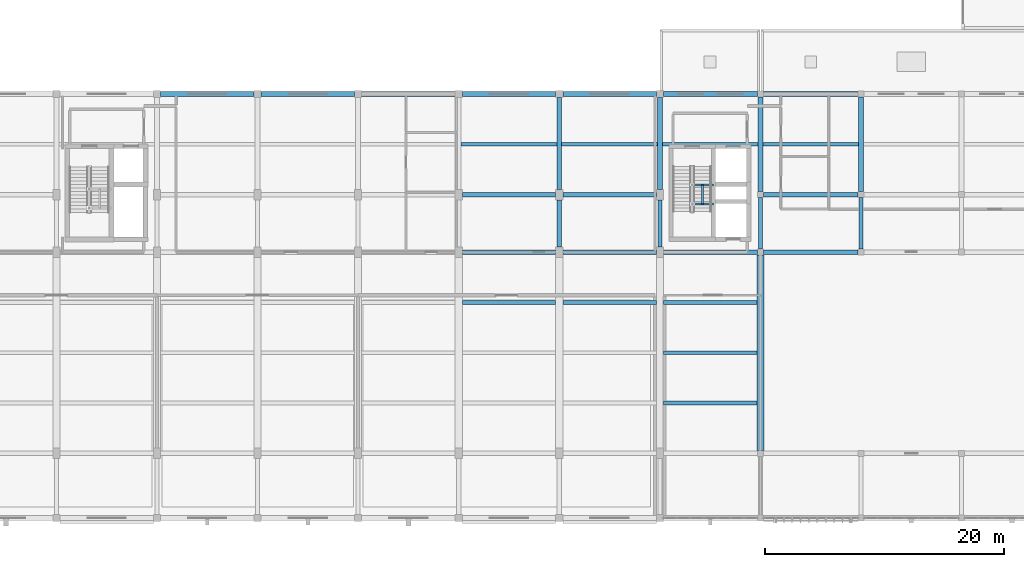
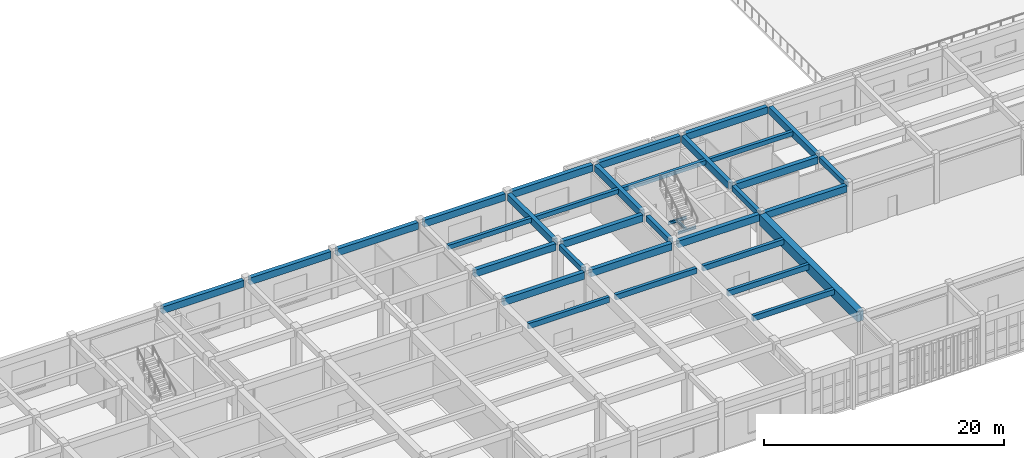
# One storey, part 29 of 93: 35 beams.
"""IFC4 building model written with IfcOpenShell, lengths in metres."""

import ifcopenshell
import ifcopenshell.guid

model = None  # the IFC model being written
_history = None  # IfcOwnerHistory: only IFC2X3 demands one
_inside = {}  # id of a spatial element -> (the spatial element, [elements in it])
_under = {}  # id of a project, library or spatial element -> (it, [spatial elements below it])
_declared = {}  # id of a project -> (the project, [libraries it declares])
_typed = {}  # id of a type object -> (the type object, [elements of that type])
_made_of = {}  # id of a material, layer set ... -> (it, [elements and type objects made of it])


def new_model(schema):
    """Start an empty IFC model of exactly this schema.

    Asked for "IFC4X3", IfcOpenShell would pick the latest addendum, in which some entities
    have other attributes; the version numbers below select the first issue.
    IFC2X3 requires an IfcOwnerHistory on every rooted entity: one is made here for all.
    """
    global model, _history
    if schema == "IFC4X3":
        model = ifcopenshell.file(schema_version=(4, 3, 0, 0))
    else:
        model = ifcopenshell.file(schema=schema)
    _inside.clear()
    _under.clear()
    _declared.clear()
    _typed.clear()
    _made_of.clear()
    _history = None
    if model.schema == "IFC2X3":
        org = make("IfcOrganization", Name="unknown")
        user = make(
            "IfcPersonAndOrganization",
            ThePerson=make("IfcPerson", FamilyName="unknown"),
            TheOrganization=org,
        )
        app = make(
            "IfcApplication",
            ApplicationDeveloper=org,
            Version="unknown",
            ApplicationFullName="unknown",
            ApplicationIdentifier="unknown",
        )
        _history = make(
            "IfcOwnerHistory",
            OwningUser=user,
            OwningApplication=app,
            ChangeAction="ADDED",
            CreationDate=0,
        )
    return model


def make(cls, **values):
    """One entity of the class cls with the attributes given. An attribute that is None is left unset."""
    return model.create_entity(
        cls, **{name: value for name, value in values.items() if value is not None}
    )


def rooted(cls, **values):
    """An entity with a GlobalId (a new one), such as an element, a storey or a relation."""
    return make(cls, GlobalId=ifcopenshell.guid.new(), OwnerHistory=_history, **values)


def si_unit(unit_type, name, prefix=None):
    """IfcSIUnit, for example si_unit("LENGTHUNIT", "METRE", prefix="MILLI")."""
    return make("IfcSIUnit", UnitType=unit_type, Prefix=prefix, Name=name)


def assignment(units):
    """IfcUnitAssignment: the units of a project."""
    return None if units is None else make("IfcUnitAssignment", Units=units)


def point(xyz):
    """IfcCartesianPoint."""
    return None if xyz is None else make("IfcCartesianPoint", Coordinates=xyz)


def direction(xyz):
    """IfcDirection."""
    return None if xyz is None else make("IfcDirection", DirectionRatios=xyz)


def frame(location, z_axis=None, x_axis=None):
    """IfcAxis2Placement3D, a coordinate frame: its origin and axes. An axis left out is left unset."""
    return make(
        "IfcAxis2Placement3D",
        Location=point(location),
        Axis=direction(z_axis),
        RefDirection=direction(x_axis),
    )


def frame_2d(location, x_axis=None):
    """IfcAxis2Placement2D, a coordinate frame in the plane: its origin and x axis."""
    return make(
        "IfcAxis2Placement2D", Location=point(location), RefDirection=direction(x_axis)
    )


def origin():
    """The frame at (0, 0, 0) with its axes left unset."""
    return frame((0.0, 0.0, 0.0))


def origin_2d():
    """The frame at (0, 0) in the plane with its x axis left unset."""
    return frame_2d((0.0, 0.0))


def place(relative_to, where):
    """IfcLocalPlacement: puts the frame where relative to a parent placement (None: the world)."""
    return make(
        "IfcLocalPlacement", PlacementRelTo=relative_to, RelativePlacement=where
    )


def context(
    kind, dimensions, precision=None, world=None, true_north=None, identifier=None
):
    """IfcGeometricRepresentationContext, for example the 3D "Model" context."""
    return make(
        "IfcGeometricRepresentationContext",
        ContextIdentifier=identifier,
        ContextType=kind,
        CoordinateSpaceDimension=dimensions,
        Precision=precision,
        WorldCoordinateSystem=world,
        TrueNorth=true_north,
    )


def subcontext(parent, identifier, kind, view, scale=None):
    """IfcGeometricRepresentationSubContext, for example "Body" below "Model"."""
    return make(
        "IfcGeometricRepresentationSubContext",
        ContextIdentifier=identifier,
        ContextType=kind,
        ParentContext=parent,
        TargetScale=scale,
        TargetView=view,
    )


def project(units=None, contexts=None):
    """IfcProject with its units and contexts."""
    return rooted(
        "IfcProject",
        Name="project",
        RepresentationContexts=contexts,
        UnitsInContext=assignment(units),
    )


def spatial(cls, under=None, at=None, **own):
    """A site, building, storey or space (cls), placed at a placement, below another one or the project."""
    s = rooted(cls, ObjectPlacement=at, **own)
    if under is not None:
        _under.setdefault(under.id(), (under, []))[1].append(s)
    return s


def profile(cls, at=None, kind="AREA", **sizes):
    """A parametric profile (cls). Its sizes go by their IFC names, for example OverallWidth=200.0."""
    return make(cls, ProfileType=kind, Position=at, **sizes)


def rectangle(**sizes):
    """IfcRectangleProfileDef."""
    return profile("IfcRectangleProfileDef", **sizes)


def i_section(**sizes):
    """IfcIShapeProfileDef."""
    return profile("IfcIShapeProfileDef", **sizes)


def extrude(swept, where, along, depth):
    """IfcExtrudedAreaSolid: the profile swept, set in the frame where, extruded along a direction by depth."""
    return make(
        "IfcExtrudedAreaSolid",
        SweptArea=swept,
        Position=where,
        ExtrudedDirection=direction(along),
        Depth=depth,
    )


def shape(context_of_items, identifier, shape_type, items):
    """IfcShapeRepresentation: the items that make up one representation, for example the "Body"."""
    return make(
        "IfcShapeRepresentation",
        ContextOfItems=context_of_items,
        RepresentationIdentifier=identifier,
        RepresentationType=shape_type,
        Items=items,
    )


def material(Name=None, Category=None):
    """IfcMaterial."""
    return make("IfcMaterial", Name=Name, Category=Category)


def material_profile(
    of_material, cross_section, Name=None, Category=None, Priority=None
):
    """IfcMaterialProfile: a cross section and its material."""
    return make(
        "IfcMaterialProfile",
        Name=Name,
        Material=of_material,
        Profile=cross_section,
        Priority=Priority,
        Category=Category,
    )


def profile_set(profiles, Name=None, composite=None):
    """IfcMaterialProfileSet."""
    return make(
        "IfcMaterialProfileSet",
        Name=Name,
        MaterialProfiles=profiles,
        CompositeProfile=composite,
    )


def made_of(thing, what):
    """Note that an element or type object is made of a material, layer set ...; save() writes the relation."""
    if what is not None:
        _made_of.setdefault(what.id(), (what, []))[1].append(thing)
    return thing


def type_object(cls, material=None, **own):
    """A type object (cls), such as IfcWallType, which elements share."""
    return made_of(rooted(cls, **own), material)


def element(
    cls,
    number,
    at=None,
    inside=None,
    cuts=None,
    type_object=None,
    material=None,
    context=None,
    identifier="Body",
    shape_type=None,
    held_by="IfcProductDefinitionShape",
    body=None,
    shapes=None,
    **own,
):
    """One element of the class cls, such as IfcWall. Its Tag is "e" and its number.

    at: its placement. inside: the storey or other place that contains it. cuts: it is an
    opening in that element (IfcRelVoidsElement). A single representation is given by context,
    identifier, shape_type and body (its items); several are given by shapes. held_by: the class
    of the entity that holds the representations. save() writes the other relations.
    """
    e = rooted(cls, Tag="e%d" % number, ObjectPlacement=at, **own)
    if body is not None:
        shapes = [shape(context, identifier, shape_type, body)]
    if shapes is not None:
        e.Representation = make(held_by, Representations=shapes)
    if inside is not None:
        _inside.setdefault(inside.id(), (inside, []))[1].append(e)
    if cuts is not None:
        rooted(
            "IfcRelVoidsElement", RelatingBuildingElement=cuts, RelatedOpeningElement=e
        )
    if type_object is not None:
        _typed.setdefault(type_object.id(), (type_object, []))[1].append(e)
    return made_of(e, material)


def aggregate(whole, parts):
    """IfcRelAggregates: a whole, such as a stair, and the parts it consists of."""
    return rooted("IfcRelAggregates", RelatingObject=whole, RelatedObjects=parts)


def save(model, path):
    """Write the relations noted so far, then the file.

    IfcRelAggregates (storeys below a building ...), IfcRelContainedInSpatialStructure (elements
    in a storey), IfcRelDefinesByType, IfcRelAssociatesMaterial and IfcRelDeclares: one each for
    every whole, place, type object, material and project.
    """
    for whole, parts in _under.values():
        aggregate(whole, parts)
    for where, things in _inside.values():
        rooted(
            "IfcRelContainedInSpatialStructure",
            RelatedElements=things,
            RelatingStructure=where,
        )
    for kind, things in _typed.values():
        rooted("IfcRelDefinesByType", RelatedObjects=things, RelatingType=kind)
    for what, things in _made_of.values():
        rooted("IfcRelAssociatesMaterial", RelatedObjects=things, RelatingMaterial=what)
    for by, libraries in _declared.values():
        rooted("IfcRelDeclares", RelatingContext=by, RelatedDefinitions=libraries)
    model.write(path)


model = new_model("IFC4")

# Units and contexts
model_context = context("Model", 3, precision=1e-05, world=origin(), true_north=direction((0.0, 1.0)))
body_context = subcontext(model_context, "Body", "Model", "MODEL_VIEW")
ifc_project = project(units=[si_unit("LENGTHUNIT", "METRE"), si_unit("AREAUNIT", "SQUARE_METRE"), si_unit("VOLUMEUNIT", "CUBIC_METRE"), si_unit("PLANEANGLEUNIT", "RADIAN"), si_unit("MASSUNIT", "GRAM", prefix="KILO")], contexts=[model_context])

# Site, building, storey
site_placement = place(None, origin())
site = spatial("IfcSite", under=ifc_project, at=site_placement, CompositionType="ELEMENT")
building_placement = place(site_placement, origin())
building = spatial("IfcBuilding", under=site, at=building_placement, Name="Krzemoval Escarpment Law Courts", CompositionType="ELEMENT")
storey_placement = place(building_placement, frame((0.0, 0.0, 10.199951171875)))
storey = spatial("IfcBuildingStorey", under=building, at=storey_placement, Name="L02", CompositionType="ELEMENT", Elevation=10.199951171875)

# Beams
ifc_material_1 = material(Name="Concrete C50/60", Category="concrete")
ifc_material_profile_1 = material_profile(ifc_material_1, rectangle(XDim=0.60009765625, YDim=1.050048828125, at=origin_2d()), Name="PTG 600x1050")
ifc_profile_set_1 = profile_set([ifc_material_profile_1], Name="Concrete C50/60")
beam_type_1 = type_object("IfcBeamType", Name="BM-PTG-600x1050", PredefinedType="BEAM", material=ifc_profile_set_1)
beam_1_placement = place(storey_placement, frame((117.60009765625, 5.64990234375, 4.295166015625), z_axis=(0.0, 1.0, 0.0), x_axis=(-1.0, 0.0, 0.0)))
element("IfcBeam", 1, at=beam_1_placement, inside=storey, type_object=beam_type_1, Name="Beam FG-L02-1953", PredefinedType="BEAM", context=body_context, shape_type="SweptSolid", body=[
    extrude(rectangle(XDim=0.60009765625, YDim=1.050048828125, at=origin_2d()), origin(), (0.0, 0.0, 1.0), 16.300048828125),
])
ifc_material_2 = material(Name="Concrete C40/50", Category="concrete")
ifc_material_profile_2 = material_profile(ifc_material_2, rectangle(XDim=0.35009765625, YDim=0.550048828125, at=origin_2d()), Name="RCB 350x550")
ifc_profile_set_2 = profile_set([ifc_material_profile_2], Name="Concrete C40/50")
beam_type_2 = type_object("IfcBeamType", Name="BM-RC-350x550", PredefinedType="BEAM", material=ifc_profile_set_2)
for number, where, z_axis, x_axis, name in (
    (2, (100.800048828125, 22.64990234375, 4.545166015625), (0.0, 1.0, 0.0), (-1.0, 0.0, 0.0), "Beam FG-L02-1946"),
    (3, (109.199951171875, 22.64990234375, 4.545166015625), (0.0, 1.0, 0.0), (-1.0, 0.0, 0.0), "Beam FG-L02-1950"),
):
    element("IfcBeam", number, at=place(storey_placement, frame(where, z_axis=z_axis, x_axis=x_axis)), inside=storey, type_object=beam_type_2, Name=name, PredefinedType="BEAM", context=body_context, shape_type="SweptSolid", body=[
        extrude(rectangle(XDim=0.35009765625, YDim=0.550048828125, at=origin_2d()), origin(), (0.0, 0.0, 1.0), 3.900146484375),
    ])
for number, where, z_axis, x_axis, name in (
    (4, (117.60009765625, 22.449951171875, 4.545166015625), (0.0, 1.0, 0.0), (-1.0, 0.0, 0.0), "Beam FG-L02-1954"),
    (5, (126.0, 22.449951171875, 4.545166015625), (0.0, 1.0, 0.0), (-1.0, 0.0, 0.0), "Beam FG-L02-1957"),
):
    element("IfcBeam", number, at=place(storey_placement, frame(where, z_axis=z_axis, x_axis=x_axis)), inside=storey, type_object=beam_type_2, Name=name, PredefinedType="BEAM", context=body_context, shape_type="SweptSolid", body=[
        extrude(rectangle(XDim=0.35009765625, YDim=0.550048828125, at=origin_2d()), origin(), (0.0, 0.0, 1.0), 4.300048828125),
    ])
ifc_material_3 = material(Name="Concrete C40/50", Category="concrete")
ifc_material_profile_3 = material_profile(ifc_material_3, rectangle(XDim=0.39990234375, YDim=0.699951171875, at=origin_2d()), Name="RCB 400x700")
ifc_profile_set_3 = profile_set([ifc_material_profile_3], Name="Concrete C40/50")
beam_type_3 = type_object("IfcBeamType", Name="BM-RC-400x700", PredefinedType="BEAM", material=ifc_profile_set_3)
beam_2_placement = place(storey_placement, frame((92.699951171875, 22.199951171875, 4.469970703125), z_axis=(1.0, 0.0, 0.0), x_axis=(0.0, 1.0, 0.0)))
element("IfcBeam", 6, at=beam_2_placement, inside=storey, type_object=beam_type_3, Name="Beam FG-L02-1745", PredefinedType="BEAM", context=body_context, shape_type="SweptSolid", body=[
    extrude(rectangle(XDim=0.39990234375, YDim=0.699951171875, at=origin_2d()), origin(), (0.0, 0.0, 1.0), 7.800048828125),
])
beam_3_placement = place(storey_placement, frame((101.10009765625, 22.199951171875, 4.469970703125), z_axis=(1.0, 0.0, 0.0), x_axis=(0.0, 1.0, 0.0)))
element("IfcBeam", 7, at=beam_3_placement, inside=storey, type_object=beam_type_3, Name="Beam FG-L02-1746", PredefinedType="BEAM", context=body_context, shape_type="SweptSolid", body=[
    extrude(rectangle(XDim=0.39990234375, YDim=0.699951171875, at=origin_2d()), origin(), (0.0, 0.0, 1.0), 7.7998046875),
])
beam_4_placement = place(storey_placement, frame((109.5, 22.199951171875, 4.469970703125), z_axis=(1.0, 0.0, 0.0), x_axis=(0.0, 1.0, 0.0)))
element("IfcBeam", 8, at=beam_4_placement, inside=storey, type_object=beam_type_3, Name="Beam FG-L02-1747", PredefinedType="BEAM", context=body_context, shape_type="SweptSolid", body=[
    extrude(rectangle(XDim=0.39990234375, YDim=0.699951171875, at=origin_2d()), origin(), (0.0, 0.0, 1.0), 7.85009765625),
])
beam_5_placement = place(storey_placement, frame((117.85009765625, 22.199951171875, 4.469970703125), z_axis=(1.0, 0.0, 0.0), x_axis=(0.0, 1.0, 0.0)))
element("IfcBeam", 9, at=beam_5_placement, inside=storey, type_object=beam_type_3, Name="Beam FG-L02-1748", PredefinedType="BEAM", context=body_context, shape_type="SweptSolid", body=[
    extrude(rectangle(XDim=0.39990234375, YDim=0.699951171875, at=origin_2d()), origin(), (0.0, 0.0, 1.0), 7.89990234375),
])
beam_6_placement = place(storey_placement, frame((92.699951171875, 27.0, 4.469970703125), z_axis=(1.0, 0.0, 0.0), x_axis=(0.0, 1.0, 0.0)))
element("IfcBeam", 10, at=beam_6_placement, inside=storey, type_object=beam_type_3, Name="Beam FG-L02-1761", PredefinedType="BEAM", context=body_context, shape_type="SweptSolid", body=[
    extrude(rectangle(XDim=0.39990234375, YDim=0.699951171875, at=origin_2d()), origin(), (0.0, 0.0, 1.0), 7.800048828125),
])
beam_7_placement = place(storey_placement, frame((101.10009765625, 27.0, 4.469970703125), z_axis=(1.0, 0.0, 0.0), x_axis=(0.0, 1.0, 0.0)))
element("IfcBeam", 11, at=beam_7_placement, inside=storey, type_object=beam_type_3, Name="Beam FG-L02-1762", PredefinedType="BEAM", context=body_context, shape_type="SweptSolid", body=[
    extrude(rectangle(XDim=0.39990234375, YDim=0.699951171875, at=origin_2d()), origin(), (0.0, 0.0, 1.0), 7.7998046875),
])
beam_8_placement = place(storey_placement, frame((117.85009765625, 27.0, 4.469970703125), z_axis=(1.0, 0.0, 0.0), x_axis=(0.0, 1.0, 0.0)))
element("IfcBeam", 12, at=beam_8_placement, inside=storey, type_object=beam_type_3, Name="Beam FG-L02-1763", PredefinedType="BEAM", context=body_context, shape_type="SweptSolid", body=[
    extrude(rectangle(XDim=0.39990234375, YDim=0.699951171875, at=origin_2d()), origin(), (0.0, 0.0, 1.0), 7.89990234375),
])
for number, where, z_axis, x_axis, name in (
    (13, (67.5, 35.39990234375, 4.469970703125), (1.0, 0.0, 0.0), (0.0, 1.0, 0.0), "Beam FG-L02-1775"),
    (14, (75.89990234375, 35.39990234375, 4.469970703125), (1.0, 0.0, 0.0), (0.0, 1.0, 0.0), "Beam FG-L02-1776"),
    (15, (84.300048828125, 35.39990234375, 4.469970703125), (1.0, 0.0, 0.0), (0.0, 1.0, 0.0), "Beam FG-L02-1777"),
    (16, (92.699951171875, 35.39990234375, 4.469970703125), (1.0, 0.0, 0.0), (0.0, 1.0, 0.0), "Beam FG-L02-1778"),
):
    element("IfcBeam", number, at=place(storey_placement, frame(where, z_axis=z_axis, x_axis=x_axis)), inside=storey, type_object=beam_type_3, Name=name, PredefinedType="BEAM", context=body_context, shape_type="SweptSolid", body=[
        extrude(rectangle(XDim=0.39990234375, YDim=0.699951171875, at=origin_2d()), origin(), (0.0, 0.0, 1.0), 7.800048828125),
    ])
beam_9_placement = place(storey_placement, frame((101.10009765625, 35.39990234375, 4.469970703125), z_axis=(1.0, 0.0, 0.0), x_axis=(0.0, 1.0, 0.0)))
element("IfcBeam", 17, at=beam_9_placement, inside=storey, type_object=beam_type_3, Name="Beam FG-L02-1779", PredefinedType="BEAM", context=body_context, shape_type="SweptSolid", body=[
    extrude(rectangle(XDim=0.39990234375, YDim=0.699951171875, at=origin_2d()), origin(), (0.0, 0.0, 1.0), 7.7998046875),
])
beam_10_placement = place(storey_placement, frame((109.5, 35.39990234375, 4.469970703125), z_axis=(1.0, 0.0, 0.0), x_axis=(0.0, 1.0, 0.0)))
element("IfcBeam", 18, at=beam_10_placement, inside=storey, type_object=beam_type_3, Name="Beam FG-L02-1780", PredefinedType="BEAM", context=body_context, shape_type="SweptSolid", body=[
    extrude(rectangle(XDim=0.39990234375, YDim=0.699951171875, at=origin_2d()), origin(), (0.0, 0.0, 1.0), 7.85009765625),
])
beam_11_placement = place(storey_placement, frame((117.85009765625, 35.39990234375, 4.469970703125), z_axis=(1.0, 0.0, 0.0), x_axis=(0.0, 1.0, 0.0)))
element("IfcBeam", 19, at=beam_11_placement, inside=storey, type_object=beam_type_3, Name="Beam FG-L02-1781", PredefinedType="BEAM", context=body_context, shape_type="SweptSolid", body=[
    extrude(rectangle(XDim=0.39990234375, YDim=0.699951171875, at=origin_2d()), origin(), (0.0, 0.0, 1.0), 7.89990234375),
])
for number, where, z_axis, x_axis, name in (
    (20, (100.800048828125, 27.449951171875, 4.469970703125), (0.0, 1.0, 0.0), (-1.0, 0.0, 0.0), "Beam FG-L02-1947"),
    (21, (109.199951171875, 27.449951171875, 4.469970703125), (0.0, 1.0, 0.0), (-1.0, 0.0, 0.0), "Beam FG-L02-1951"),
):
    element("IfcBeam", number, at=place(storey_placement, frame(where, z_axis=z_axis, x_axis=x_axis)), inside=storey, type_object=beam_type_3, Name=name, PredefinedType="BEAM", context=body_context, shape_type="SweptSolid", body=[
        extrude(rectangle(XDim=0.39990234375, YDim=0.699951171875, at=origin_2d()), origin(), (0.0, 0.0, 1.0), 7.650146484375),
    ])
for number, where, z_axis, x_axis, name in (
    (22, (117.60009765625, 27.25, 4.469970703125), (0.0, 1.0, 0.0), (-1.0, 0.0, 0.0), "Beam FG-L02-1955"),
    (23, (126.0, 27.25, 4.469970703125), (0.0, 1.0, 0.0), (-1.0, 0.0, 0.0), "Beam FG-L02-1958"),
):
    element("IfcBeam", number, at=place(storey_placement, frame(where, z_axis=z_axis, x_axis=x_axis)), inside=storey, type_object=beam_type_3, Name=name, PredefinedType="BEAM", context=body_context, shape_type="SweptSolid", body=[
        extrude(rectangle(XDim=0.39990234375, YDim=0.699951171875, at=origin_2d()), origin(), (0.0, 0.0, 1.0), 7.89990234375),
    ])
ifc_material_4 = material(Name="Concrete C40/50", Category="concrete")
ifc_material_profile_4 = material_profile(ifc_material_4, rectangle(XDim=0.300048828125, YDim=0.449951171875, at=origin_2d()), Name="RCB 300x450")
ifc_profile_set_4 = profile_set([ifc_material_profile_4], Name="Concrete C40/50")
beam_type_4 = type_object("IfcBeamType", Name="JST-RC-300x450", PredefinedType="JOIST", material=ifc_profile_set_4)
for number, where, z_axis, x_axis, name in (
    (24, (92.60009765625, 31.199951171875, 4.594970703125), (1.0, 0.0, 0.0), (0.0, 1.0, 0.0), "Secondary Joist FJ-L02-2058"),
    (25, (101.0, 31.199951171875, 4.594970703125), (1.0, 0.0, 0.0), (0.0, 1.0, 0.0), "Secondary Joist FJ-L02-2062"),
    (26, (109.39990234375, 31.199951171875, 4.594970703125), (1.0, 0.0, 0.0), (0.0, 1.0, 0.0), "Secondary Joist FJ-L02-2066"),
    (27, (117.800048828125, 31.199951171875, 4.594970703125), (1.0, 0.0, 0.0), (0.0, 1.0, 0.0), "Secondary Joist FJ-L02-2067"),
):
    element("IfcBeam", number, at=place(storey_placement, frame(where, z_axis=z_axis, x_axis=x_axis)), inside=storey, type_object=beam_type_4, Name=name, PredefinedType="JOIST", context=body_context, shape_type="SweptSolid", body=[
        extrude(rectangle(XDim=0.300048828125, YDim=0.449951171875, at=origin_2d()), origin(), (0.0, 0.0, 1.0), 8.0),
    ])
ifc_material_5 = material(Name="Concrete C40/50", Category="concrete")
ifc_material_profile_5 = material_profile(ifc_material_5, rectangle(XDim=0.300048828125, YDim=0.550048828125, at=origin_2d()), Name="RCB 300x550")
ifc_profile_set_5 = profile_set([ifc_material_profile_5], Name="Concrete C40/50")
beam_type_5 = type_object("IfcBeamType", Name="JST-RC-300x550", PredefinedType="JOIST", material=ifc_profile_set_5)
beam_12_placement = place(storey_placement, frame((92.699951171875, 18.0, 4.545166015625), z_axis=(1.0, 0.0, 0.0), x_axis=(0.0, 1.0, 0.0)))
element("IfcBeam", 28, at=beam_12_placement, inside=storey, type_object=beam_type_5, Name="Secondary Joist FJ-L02-2057", PredefinedType="JOIST", context=body_context, shape_type="SweptSolid", body=[
    extrude(rectangle(XDim=0.300048828125, YDim=0.550048828125, at=origin_2d()), origin(), (0.0, 0.0, 1.0), 7.800048828125),
])
beam_13_placement = place(storey_placement, frame((101.10009765625, 18.0, 4.545166015625), z_axis=(1.0, 0.0, 0.0), x_axis=(0.0, 1.0, 0.0)))
element("IfcBeam", 29, at=beam_13_placement, inside=storey, type_object=beam_type_5, Name="Secondary Joist FJ-L02-2061", PredefinedType="JOIST", context=body_context, shape_type="SweptSolid", body=[
    extrude(rectangle(XDim=0.300048828125, YDim=0.550048828125, at=origin_2d()), origin(), (0.0, 0.0, 1.0), 7.7998046875),
])
for number, where, z_axis, x_axis, name in (
    (30, (109.5, 9.60009765625, 4.545166015625), (1.0, 0.0, 0.0), (0.0, 1.0, 0.0), "Secondary Joist FJ-L02-2063"),
    (31, (109.5, 13.800048828125, 4.545166015625), (1.0, 0.0, 0.0), (0.0, 1.0, 0.0), "Secondary Joist FJ-L02-2064"),
    (32, (109.5, 18.0, 4.545166015625), (1.0, 0.0, 0.0), (0.0, 1.0, 0.0), "Secondary Joist FJ-L02-2065"),
):
    element("IfcBeam", number, at=place(storey_placement, frame(where, z_axis=z_axis, x_axis=x_axis)), inside=storey, type_object=beam_type_5, Name=name, PredefinedType="JOIST", context=body_context, shape_type="SweptSolid", body=[
        extrude(rectangle(XDim=0.300048828125, YDim=0.550048828125, at=origin_2d()), origin(), (0.0, 0.0, 1.0), 7.800048828125),
    ])
ifc_material_6 = material(Name="Steel S355", Category="steel")
ifc_material_profile_6 = material_profile(ifc_material_6, i_section(OverallWidth=0.14990234375, OverallDepth=0.300048828125, WebThickness=0.007080078125, FlangeThickness=0.0107421875, at=origin_2d()), Name="IPE 300")
ifc_profile_set_6 = profile_set([ifc_material_profile_6], Name="Steel S355")
beam_type_6 = type_object("IfcBeamType", Name="JST-S355-IPE300", PredefinedType="JOIST", material=ifc_profile_set_6)
for number, where, z_axis, x_axis, name in (
    (33, (111.89990234375, 26.219970703125, 2.27001953125), (1.0, 0.0, 0.0), (0.0, 1.0, 0.0), "Stair Well Crosshead SLHW-C6-L02-1"),
    (34, (111.89990234375, 27.820068359375, 2.27001953125), (1.0, 0.0, 0.0), (0.0, 1.0, 0.0), "Stair Well Crosshead SLHW-C6-L02-2"),
):
    element("IfcBeam", number, at=place(storey_placement, frame(where, z_axis=z_axis, x_axis=x_axis)), inside=storey, type_object=beam_type_6, Name=name, PredefinedType="JOIST", context=body_context, shape_type="SweptSolid", body=[
        extrude(i_section(OverallWidth=0.14990234375, OverallDepth=0.300048828125, WebThickness=0.007080078125, FlangeThickness=0.0107421875, at=origin_2d()), origin(), (0.0, 0.0, 1.0), 1.760009765625),
    ])
beam_14_placement = place(storey_placement, frame((112.75, 26.219970703125, 2.27001953125), z_axis=(0.0, 1.0, 0.0), x_axis=(-1.0, 0.0, 0.0)))
element("IfcBeam", 35, at=beam_14_placement, inside=storey, type_object=beam_type_6, Name="Stair Flight Support Stringer SLTW-C6-L02", PredefinedType="JOIST", context=body_context, shape_type="SweptSolid", body=[
    extrude(i_section(OverallWidth=0.14990234375, OverallDepth=0.300048828125, WebThickness=0.007080078125, FlangeThickness=0.0107421875, at=origin_2d()), origin(), (0.0, 0.0, 1.0), 1.60009765625),
])

save(model, "model.ifc")
